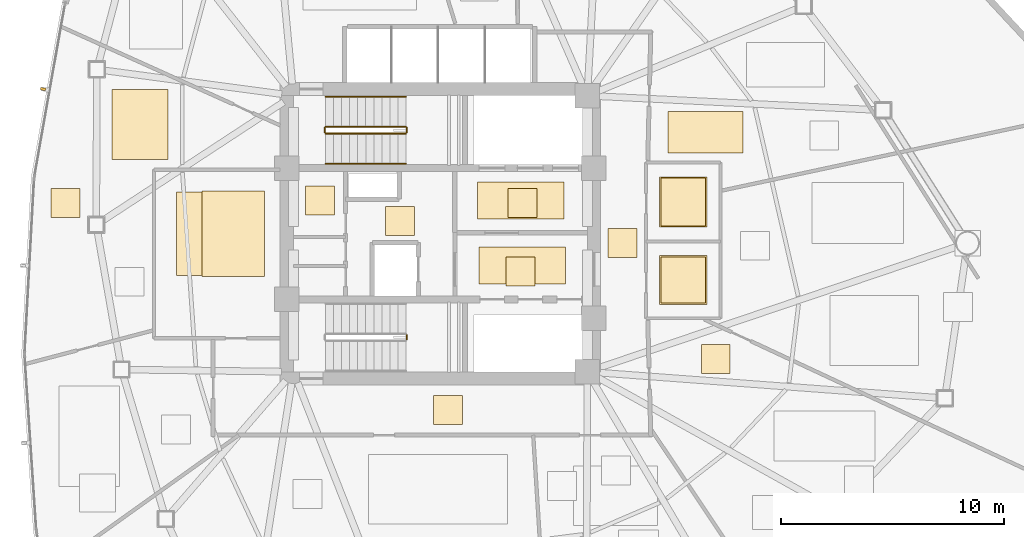
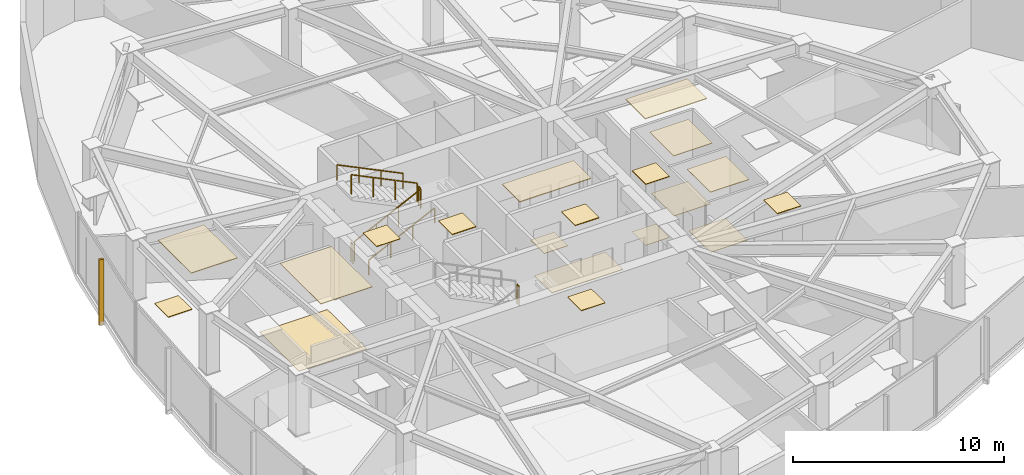
# One storey, part 15 of 17: 19 coverings, 7 railings, 1 shading device.
"""IFC4 building model written with IfcOpenShell, lengths in metres."""

import ifcopenshell
import ifcopenshell.guid

model = None  # the IFC model being written
_history = None  # IfcOwnerHistory: only IFC2X3 demands one
_inside = {}  # id of a spatial element -> (the spatial element, [elements in it])
_under = {}  # id of a project, library or spatial element -> (it, [spatial elements below it])
_declared = {}  # id of a project -> (the project, [libraries it declares])
_typed = {}  # id of a type object -> (the type object, [elements of that type])
_made_of = {}  # id of a material, layer set ... -> (it, [elements and type objects made of it])


def new_model(schema):
    """Start an empty IFC model of exactly this schema.

    Asked for "IFC4X3", IfcOpenShell would pick the latest addendum, in which some entities
    have other attributes; the version numbers below select the first issue.
    IFC2X3 requires an IfcOwnerHistory on every rooted entity: one is made here for all.
    """
    global model, _history
    if schema == "IFC4X3":
        model = ifcopenshell.file(schema_version=(4, 3, 0, 0))
    else:
        model = ifcopenshell.file(schema=schema)
    _inside.clear()
    _under.clear()
    _declared.clear()
    _typed.clear()
    _made_of.clear()
    _history = None
    if model.schema == "IFC2X3":
        org = make("IfcOrganization", Name="unknown")
        user = make(
            "IfcPersonAndOrganization",
            ThePerson=make("IfcPerson", FamilyName="unknown"),
            TheOrganization=org,
        )
        app = make(
            "IfcApplication",
            ApplicationDeveloper=org,
            Version="unknown",
            ApplicationFullName="unknown",
            ApplicationIdentifier="unknown",
        )
        _history = make(
            "IfcOwnerHistory",
            OwningUser=user,
            OwningApplication=app,
            ChangeAction="ADDED",
            CreationDate=0,
        )
    return model


def make(cls, **values):
    """One entity of the class cls with the attributes given. An attribute that is None is left unset."""
    return model.create_entity(
        cls, **{name: value for name, value in values.items() if value is not None}
    )


def rooted(cls, **values):
    """An entity with a GlobalId (a new one), such as an element, a storey or a relation."""
    return make(cls, GlobalId=ifcopenshell.guid.new(), OwnerHistory=_history, **values)


def si_unit(unit_type, name, prefix=None):
    """IfcSIUnit, for example si_unit("LENGTHUNIT", "METRE", prefix="MILLI")."""
    return make("IfcSIUnit", UnitType=unit_type, Prefix=prefix, Name=name)


def assignment(units):
    """IfcUnitAssignment: the units of a project."""
    return None if units is None else make("IfcUnitAssignment", Units=units)


def point(xyz):
    """IfcCartesianPoint."""
    return None if xyz is None else make("IfcCartesianPoint", Coordinates=xyz)


def direction(xyz):
    """IfcDirection."""
    return None if xyz is None else make("IfcDirection", DirectionRatios=xyz)


def frame(location, z_axis=None, x_axis=None):
    """IfcAxis2Placement3D, a coordinate frame: its origin and axes. An axis left out is left unset."""
    return make(
        "IfcAxis2Placement3D",
        Location=point(location),
        Axis=direction(z_axis),
        RefDirection=direction(x_axis),
    )


def frame_2d(location, x_axis=None):
    """IfcAxis2Placement2D, a coordinate frame in the plane: its origin and x axis."""
    return make(
        "IfcAxis2Placement2D", Location=point(location), RefDirection=direction(x_axis)
    )


def origin():
    """The frame at (0, 0, 0) with its axes left unset."""
    return frame((0.0, 0.0, 0.0))


def origin_2d():
    """The frame at (0, 0) in the plane with its x axis left unset."""
    return frame_2d((0.0, 0.0))


def place(relative_to, where):
    """IfcLocalPlacement: puts the frame where relative to a parent placement (None: the world)."""
    return make(
        "IfcLocalPlacement", PlacementRelTo=relative_to, RelativePlacement=where
    )


def context(
    kind, dimensions, precision=None, world=None, true_north=None, identifier=None
):
    """IfcGeometricRepresentationContext, for example the 3D "Model" context."""
    return make(
        "IfcGeometricRepresentationContext",
        ContextIdentifier=identifier,
        ContextType=kind,
        CoordinateSpaceDimension=dimensions,
        Precision=precision,
        WorldCoordinateSystem=world,
        TrueNorth=true_north,
    )


def subcontext(parent, identifier, kind, view, scale=None):
    """IfcGeometricRepresentationSubContext, for example "Body" below "Model"."""
    return make(
        "IfcGeometricRepresentationSubContext",
        ContextIdentifier=identifier,
        ContextType=kind,
        ParentContext=parent,
        TargetScale=scale,
        TargetView=view,
    )


def project(units=None, contexts=None):
    """IfcProject with its units and contexts."""
    return rooted(
        "IfcProject",
        Name="project",
        RepresentationContexts=contexts,
        UnitsInContext=assignment(units),
    )


def spatial(cls, under=None, at=None, **own):
    """A site, building, storey or space (cls), placed at a placement, below another one or the project."""
    s = rooted(cls, ObjectPlacement=at, **own)
    if under is not None:
        _under.setdefault(under.id(), (under, []))[1].append(s)
    return s


def polyline(points):
    """IfcPolyline through the points."""
    return make("IfcPolyline", Points=[point(p) for p in points])


def profile(cls, at=None, kind="AREA", **sizes):
    """A parametric profile (cls). Its sizes go by their IFC names, for example OverallWidth=200.0."""
    return make(cls, ProfileType=kind, Position=at, **sizes)


def rectangle(**sizes):
    """IfcRectangleProfileDef."""
    return profile("IfcRectangleProfileDef", **sizes)


def outline(outer, holes=None, kind="AREA"):
    """IfcArbitraryClosedProfileDef: a profile drawn as a closed curve; with holes, ...WithVoids."""
    if holes is None:
        return make("IfcArbitraryClosedProfileDef", ProfileType=kind, OuterCurve=outer)
    return make(
        "IfcArbitraryProfileDefWithVoids",
        ProfileType=kind,
        OuterCurve=outer,
        InnerCurves=holes,
    )


def extrude(swept, where, along, depth):
    """IfcExtrudedAreaSolid: the profile swept, set in the frame where, extruded along a direction by depth."""
    return make(
        "IfcExtrudedAreaSolid",
        SweptArea=swept,
        Position=where,
        ExtrudedDirection=direction(along),
        Depth=depth,
    )


def shape(context_of_items, identifier, shape_type, items):
    """IfcShapeRepresentation: the items that make up one representation, for example the "Body"."""
    return make(
        "IfcShapeRepresentation",
        ContextOfItems=context_of_items,
        RepresentationIdentifier=identifier,
        RepresentationType=shape_type,
        Items=items,
    )


def source(mapping_origin, context_of_items, identifier, shape_type, items):
    """IfcRepresentationMap: a shape defined once, which mapped items show again and again."""
    return make(
        "IfcRepresentationMap",
        MappingOrigin=mapping_origin,
        MappedRepresentation=shape(context_of_items, identifier, shape_type, items),
    )


def transform(
    local_origin,
    x_axis=None,
    y_axis=None,
    z_axis=None,
    scale=None,
    scale2=None,
    scale3=None,
    uniform=True,
):
    """IfcCartesianTransformationOperator3D, or its non-uniform kind. x_axis, y_axis, z_axis: its Axis1, 2, 3."""
    if uniform:
        return make(
            "IfcCartesianTransformationOperator3D",
            Axis1=direction(x_axis),
            Axis2=direction(y_axis),
            LocalOrigin=point(local_origin),
            Scale=scale,
            Axis3=direction(z_axis),
        )
    return make(
        "IfcCartesianTransformationOperator3DnonUniform",
        Axis1=direction(x_axis),
        Axis2=direction(y_axis),
        LocalOrigin=point(local_origin),
        Scale=scale,
        Axis3=direction(z_axis),
        Scale2=scale2,
        Scale3=scale3,
    )


def mapped(mapping_source, mapping_target):
    """IfcMappedItem: shows the shape of a source again, moved by a transform."""
    return make(
        "IfcMappedItem", MappingSource=mapping_source, MappingTarget=mapping_target
    )


def material(Name=None, Category=None):
    """IfcMaterial."""
    return make("IfcMaterial", Name=Name, Category=Category)


def layer(
    of_material, thickness, ventilated=None, Name=None, Category=None, Priority=None
):
    """IfcMaterialLayer: one layer of a wall or slab, of a material (None: an air gap)."""
    return make(
        "IfcMaterialLayer",
        Material=of_material,
        LayerThickness=thickness,
        IsVentilated=ventilated,
        Name=Name,
        Category=Category,
        Priority=Priority,
    )


def layer_set(layers, Name=None):
    """IfcMaterialLayerSet."""
    return make("IfcMaterialLayerSet", MaterialLayers=layers, LayerSetName=Name)


def made_of(thing, what):
    """Note that an element or type object is made of a material, layer set ...; save() writes the relation."""
    if what is not None:
        _made_of.setdefault(what.id(), (what, []))[1].append(thing)
    return thing


def type_object(cls, material=None, **own):
    """A type object (cls), such as IfcWallType, which elements share."""
    return made_of(rooted(cls, **own), material)


def type_shapes(of_type, sources):
    """Give a type object the sources (RepresentationMaps) that its elements show as mapped items."""
    of_type.RepresentationMaps = sources


def element(
    cls,
    number,
    at=None,
    inside=None,
    cuts=None,
    type_object=None,
    material=None,
    context=None,
    identifier="Body",
    shape_type=None,
    held_by="IfcProductDefinitionShape",
    body=None,
    shapes=None,
    **own,
):
    """One element of the class cls, such as IfcWall. Its Tag is "e" and its number.

    at: its placement. inside: the storey or other place that contains it. cuts: it is an
    opening in that element (IfcRelVoidsElement). A single representation is given by context,
    identifier, shape_type and body (its items); several are given by shapes. held_by: the class
    of the entity that holds the representations. save() writes the other relations.
    """
    e = rooted(cls, Tag="e%d" % number, ObjectPlacement=at, **own)
    if body is not None:
        shapes = [shape(context, identifier, shape_type, body)]
    if shapes is not None:
        e.Representation = make(held_by, Representations=shapes)
    if inside is not None:
        _inside.setdefault(inside.id(), (inside, []))[1].append(e)
    if cuts is not None:
        rooted(
            "IfcRelVoidsElement", RelatingBuildingElement=cuts, RelatedOpeningElement=e
        )
    if type_object is not None:
        _typed.setdefault(type_object.id(), (type_object, []))[1].append(e)
    return made_of(e, material)


def aggregate(whole, parts):
    """IfcRelAggregates: a whole, such as a stair, and the parts it consists of."""
    return rooted("IfcRelAggregates", RelatingObject=whole, RelatedObjects=parts)


def save(model, path):
    """Write the relations noted so far, then the file.

    IfcRelAggregates (storeys below a building ...), IfcRelContainedInSpatialStructure (elements
    in a storey), IfcRelDefinesByType, IfcRelAssociatesMaterial and IfcRelDeclares: one each for
    every whole, place, type object, material and project.
    """
    for whole, parts in _under.values():
        aggregate(whole, parts)
    for where, things in _inside.values():
        rooted(
            "IfcRelContainedInSpatialStructure",
            RelatedElements=things,
            RelatingStructure=where,
        )
    for kind, things in _typed.values():
        rooted("IfcRelDefinesByType", RelatedObjects=things, RelatingType=kind)
    for what, things in _made_of.values():
        rooted("IfcRelAssociatesMaterial", RelatedObjects=things, RelatingMaterial=what)
    for by, libraries in _declared.values():
        rooted("IfcRelDeclares", RelatingContext=by, RelatedDefinitions=libraries)
    model.write(path)


model = new_model("IFC4")

# Units and contexts
model_context = context("Model", 3, precision=1e-05, world=origin(), true_north=direction((0.0, 1.0)))
body_context = subcontext(model_context, "Body", "Model", "MODEL_VIEW")
ifc_project = project(units=[si_unit("LENGTHUNIT", "METRE"), si_unit("AREAUNIT", "SQUARE_METRE"), si_unit("VOLUMEUNIT", "CUBIC_METRE"), si_unit("PLANEANGLEUNIT", "RADIAN"), si_unit("MASSUNIT", "GRAM", prefix="KILO")], contexts=[model_context])

# Site, building, storey
site_placement = place(None, origin())
site = spatial("IfcSite", under=ifc_project, at=site_placement, CompositionType="ELEMENT")
building_placement = place(site_placement, origin())
building = spatial("IfcBuilding", under=site, at=building_placement, Name="Tavelor Broadcast Tower", CompositionType="ELEMENT")
storey_placement = place(building_placement, frame((0.0, 0.0, 131.0)))
storey = spatial("IfcBuildingStorey", under=building, at=storey_placement, Name="L30", CompositionType="ELEMENT", Elevation=131.0)

# Coverings
ifc_material_1 = material(Name="Copper-Bronze Anodized Aluminium", Category="aluminium")
ifc_layer_1 = layer(ifc_material_1, 0.044921875)
ifc_layer_set_1 = layer_set([ifc_layer_1], Name="Copper-Bronze Anodized Aluminium")
covering_type_1 = type_object("IfcCoveringType", Name="Anodised Bronze Linear Slatted Concourse Ceiling 45 mm", PredefinedType="CEILING", material=ifc_layer_set_1)
covering_1_placement = place(storey_placement, frame((0.0, 0.0, 3.5048828125)))
element("IfcCovering", 1, at=covering_1_placement, inside=storey, type_object=covering_type_1, Name="L30 Suspended Acoustic Ceiling 1187", PredefinedType="CEILING", context=body_context, shape_type="SweptSolid", body=[
    extrude(outline(polyline([(51.659912109375, 45.654296875), (55.55712890625, 45.654296875), (55.55712890625, 47.331787109375), (51.659912109375, 47.331787109375), (51.659912109375, 45.654296875)])), origin(), (0.0, 0.0, 1.0), 0.045166015625),
])
covering_2_placement = place(storey_placement, frame((0.0, 0.0, 3.5048828125)))
element("IfcCovering", 2, at=covering_2_placement, inside=storey, type_object=covering_type_1, Name="L30 Suspended Acoustic Ceiling 1188", PredefinedType="CEILING", context=body_context, shape_type="SweptSolid", body=[
    extrude(outline(polyline([(52.95361328125, 42.656982421875), (54.25341796875, 42.656982421875), (54.25341796875, 43.95703125), (52.95361328125, 43.95703125), (52.95361328125, 42.656982421875)])), origin(), (0.0, 0.0, 1.0), 0.045166015625),
])
covering_3_placement = place(storey_placement, frame((0.0, 0.0, 3.5048828125)))
element("IfcCovering", 3, at=covering_3_placement, inside=storey, type_object=covering_type_1, Name="L30 Suspended Acoustic Ceiling 1189", PredefinedType="CEILING", context=body_context, shape_type="SweptSolid", body=[
    extrude(outline(polyline([(47.544921875, 44.919921875), (48.844970703125, 44.919921875), (48.844970703125, 46.219970703125), (47.544921875, 46.219970703125), (47.544921875, 44.919921875)])), origin(), (0.0, 0.0, 1.0), 0.045166015625),
])

# Railings
ifc_material_2 = material(Name="Steel S355", Category="steel")
railing_type_1 = type_object("IfcRailingType", Name="Continuous Brushed Stainless Handrail 900 mm", PredefinedType="HANDRAIL", material=ifc_material_2)
railing_1_placement = place(storey_placement, frame((44.85009765625, 48.14990234375, 0.175048828125)))
element("IfcRailing", 4, at=railing_1_placement, inside=storey, type_object=railing_type_1, Name="L30 ST1 stair handrail 1", PredefinedType="HANDRAIL", context=body_context, shape_type="SweptSolid", body=[
    extrude(rectangle(XDim=0.048095703125, YDim=0.048095703125, at=origin_2d()), frame((0.0, 0.0, 0.8759765625), z_axis=(0.899360859046, 0.0, 0.437207096483), x_axis=(0.0, 1.0, 0.0)), (0.0, 0.0, 1.0), 4.002685546875),
    extrude(rectangle(XDim=0.0419921875, YDim=0.0419921875, at=origin_2d()), origin(), (0.0, 0.0, 1.0), 0.851806640625),
    extrude(rectangle(XDim=0.0419921875, YDim=0.0419921875, at=origin_2d()), frame((1.199951171875, 0.0, 0.583251953125)), (0.0, 0.0, 1.0), 0.851806640625),
    extrude(rectangle(XDim=0.0419921875, YDim=0.0419921875, at=origin_2d()), frame((2.39990234375, 0.0, 1.166748046875)), (0.0, 0.0, 1.0), 0.851806640625),
    extrude(rectangle(XDim=0.0419921875, YDim=0.0419921875, at=origin_2d()), frame((3.599853515625, 0.0, 1.75)), (0.0, 0.0, 1.0), 0.851806640625),
])
railing_2_placement = place(storey_placement, frame((48.449951171875, 51.14990234375, 2.10009765625)))
element("IfcRailing", 5, at=railing_2_placement, inside=storey, type_object=railing_type_1, Name="L30 ST1 stair handrail 2", PredefinedType="HANDRAIL", context=body_context, shape_type="SweptSolid", body=[
    extrude(rectangle(XDim=0.048095703125, YDim=0.048095703125, at=origin_2d()), frame((0.0, 0.0, 0.8759765625), z_axis=(-0.899360859046, 0.0, 0.437207096483), x_axis=(0.0, -1.0, 0.0)), (0.0, 0.0, 1.0), 4.002685546875),
    extrude(rectangle(XDim=0.0419921875, YDim=0.0419921875, at=origin_2d()), origin(), (0.0, 0.0, 1.0), 0.851806640625),
    extrude(rectangle(XDim=0.0419921875, YDim=0.0419921875, at=origin_2d()), frame((-1.199951171875, 0.0, 0.583251953125)), (0.0, 0.0, 1.0), 0.851806640625),
    extrude(rectangle(XDim=0.0419921875, YDim=0.0419921875, at=origin_2d()), frame((-2.39990234375, 0.0, 1.166748046875)), (0.0, 0.0, 1.0), 0.851806640625),
    extrude(rectangle(XDim=0.0419921875, YDim=0.0419921875, at=origin_2d()), frame((-3.599853515625, 0.0, 1.75)), (0.0, 0.0, 1.0), 0.851806640625),
])

# Coverings
ifc_material_3 = material(Name="Architectural Anodized Aluminium", Category="aluminium")
ifc_layer_2 = layer(ifc_material_3, 0.034912109375)
ifc_layer_set_2 = layer_set([ifc_layer_2], Name="Architectural Anodized Aluminium")
covering_type_2 = type_object("IfcCoveringType", Name="Demountable Metal Tile Corridor Ceiling 35 mm", PredefinedType="CEILING", material=ifc_layer_set_2)
covering_4_placement = place(storey_placement, frame((0.0, 0.0, 3.514892578125)))
element("IfcCovering", 6, at=covering_4_placement, inside=storey, type_object=covering_type_2, Name="L30 Suspended Acoustic Ceiling 1191", PredefinedType="CEILING", context=body_context, shape_type="SweptSolid", body=[
    extrude(outline(polyline([(57.5400390625, 43.925048828125), (58.840087890625, 43.925048828125), (58.840087890625, 45.22509765625), (57.5400390625, 45.22509765625), (57.5400390625, 43.925048828125)])), origin(), (0.0, 0.0, 1.0), 0.03515625),
])
covering_5_placement = place(storey_placement, frame((0.0, 0.0, 3.514892578125)))
element("IfcCovering", 7, at=covering_5_placement, inside=storey, type_object=covering_type_2, Name="L30 Suspended Acoustic Ceiling 1192", PredefinedType="CEILING", context=body_context, shape_type="SweptSolid", body=[
    extrude(outline(polyline([(49.694091796875, 36.425048828125), (50.994140625, 36.425048828125), (50.994140625, 37.72509765625), (49.694091796875, 37.72509765625), (49.694091796875, 36.425048828125)])), origin(), (0.0, 0.0, 1.0), 0.03515625),
])
ifc_material_4 = material(Name="Acoustic Nylon Carpet Tile")
ifc_layer_3 = layer(ifc_material_4, 0.02001953125)
ifc_layer_set_3 = layer_set([ifc_layer_3], Name="Acoustic Nylon Carpet Tile")
covering_type_3 = type_object("IfcCoveringType", Name="Heavy-Duty Acoustic Broadcast Carpet Tile 20 mm", PredefinedType="FLOORING", material=ifc_layer_set_3)
covering_6_placement = place(storey_placement, origin())
element("IfcCovering", 8, at=covering_6_placement, inside=storey, type_object=covering_type_3, Name="L30 Broadcast Floor Finish 0420", PredefinedType="FLOORING", context=body_context, shape_type="SweptSolid", body=[
    extrude(outline(polyline([(57.5400390625, 43.925048828125), (58.840087890625, 43.925048828125), (58.840087890625, 45.22509765625), (57.5400390625, 45.22509765625), (57.5400390625, 43.925048828125)])), origin(), (0.0, 0.0, 1.0), 0.02001953125),
])
covering_7_placement = place(storey_placement, origin())
element("IfcCovering", 9, at=covering_7_placement, inside=storey, type_object=covering_type_3, Name="L30 Broadcast Floor Finish 0421", PredefinedType="FLOORING", context=body_context, shape_type="SweptSolid", body=[
    extrude(outline(polyline([(38.143798828125, 43.12890625), (41.856201171875, 43.12890625), (41.856201171875, 46.87060546875), (38.143798828125, 46.87060546875), (38.143798828125, 43.12890625)])), origin(), (0.0, 0.0, 1.0), 0.02001953125),
])
ifc_material_5 = material(Name="Honed Natural Limestone Tile", Category="masonry")
ifc_layer_4 = layer(ifc_material_5, 0.030029296875)
ifc_layer_set_4 = layer_set([ifc_layer_4], Name="Honed Natural Limestone Tile")
covering_type_4 = type_object("IfcCoveringType", Name="Honed Jerusalem Limestone Concourse Flooring 30 mm", PredefinedType="FLOORING", material=ifc_layer_set_4)
covering_8_placement = place(storey_placement, origin())
element("IfcCovering", 10, at=covering_8_placement, inside=storey, type_object=covering_type_4, Name="L30 Broadcast Floor Finish 0418", PredefinedType="FLOORING", context=body_context, shape_type="SweptSolid", body=[
    extrude(outline(polyline([(53.030029296875, 45.728515625), (54.330078125, 45.728515625), (54.330078125, 47.028564453125), (53.030029296875, 47.028564453125), (53.030029296875, 45.728515625)])), origin(), (0.0, 0.0, 1.0), 0.030029296875),
])
covering_9_placement = place(storey_placement, origin())
element("IfcCovering", 11, at=covering_9_placement, inside=storey, type_object=covering_type_4, Name="L30 Broadcast Floor Finish 0419", PredefinedType="FLOORING", context=body_context, shape_type="SweptSolid", body=[
    extrude(outline(polyline([(51.728759765625, 42.743408203125), (55.62109375, 42.743408203125), (55.62109375, 44.396484375), (51.728759765625, 44.396484375), (51.728759765625, 42.743408203125)])), origin(), (0.0, 0.0, 1.0), 0.030029296875),
])
ifc_layer_5 = layer(ifc_material_3, 0.030029296875)
ifc_layer_set_5 = layer_set([ifc_layer_5], Name="Architectural Anodized Aluminium")
covering_type_5 = type_object("IfcCoveringType", Name="Moisture-Resistant Washroom Ceiling 30 mm", PredefinedType="CEILING", material=ifc_layer_set_5)
covering_10_placement = place(storey_placement, frame((0.0, 0.0, 3.52001953125)))
element("IfcCovering", 12, at=covering_10_placement, inside=storey, type_object=covering_type_5, Name="L30 Suspended Acoustic Ceiling 1190", PredefinedType="CEILING", context=body_context, shape_type="SweptSolid", body=[
    extrude(outline(polyline([(43.951416015625, 45.843017578125), (45.25146484375, 45.843017578125), (45.25146484375, 47.14306640625), (43.951416015625, 47.14306640625), (43.951416015625, 45.843017578125)])), origin(), (0.0, 0.0, 1.0), 0.030029296875),
])
covering_11_placement = place(storey_placement, frame((0.0, 0.0, 3.52001953125)))
element("IfcCovering", 13, at=covering_11_placement, inside=storey, type_object=covering_type_5, Name="L30 Suspended Acoustic Ceiling 1194", PredefinedType="CEILING", context=body_context, shape_type="SweptSolid", body=[
    extrude(outline(polyline([(59.85302734375, 41.828369140625), (61.967041015625, 41.828369140625), (61.967041015625, 44.021484375), (59.85302734375, 44.021484375), (59.85302734375, 41.828369140625)])), origin(), (0.0, 0.0, 1.0), 0.030029296875),
])
covering_12_placement = place(storey_placement, frame((0.0, 0.0, 3.52001953125)))
element("IfcCovering", 14, at=covering_12_placement, inside=storey, type_object=covering_type_5, Name="L30 Suspended Acoustic Ceiling 1195", PredefinedType="CEILING", context=body_context, shape_type="SweptSolid", body=[
    extrude(outline(polyline([(59.85302734375, 45.29248046875), (61.967041015625, 45.29248046875), (61.967041015625, 47.5576171875), (59.85302734375, 47.5576171875), (59.85302734375, 45.29248046875)])), origin(), (0.0, 0.0, 1.0), 0.030029296875),
])
ifc_material_6 = material(Name="Slip-Resistant Porcelain Tile")
ifc_layer_6 = layer(ifc_material_6, 0.02490234375)
ifc_layer_set_6 = layer_set([ifc_layer_6], Name="Slip-Resistant Porcelain Tile")
covering_type_6 = type_object("IfcCoveringType", Name="Slip-Resistant Porcelain Wet-Area Floor Tile 25 mm", PredefinedType="FLOORING", material=ifc_layer_set_6)
covering_13_placement = place(storey_placement, origin())
element("IfcCovering", 15, at=covering_13_placement, inside=storey, type_object=covering_type_6, Name="L30 Broadcast Floor Finish 0422", PredefinedType="FLOORING", context=body_context, shape_type="SweptSolid", body=[
    extrude(outline(polyline([(59.91064453125, 41.885986328125), (61.909423828125, 41.885986328125), (61.909423828125, 43.964111328125), (59.91064453125, 43.964111328125), (59.91064453125, 41.885986328125)])), origin(), (0.0, 0.0, 1.0), 0.02490234375),
])
covering_14_placement = place(storey_placement, origin())
element("IfcCovering", 16, at=covering_14_placement, inside=storey, type_object=covering_type_6, Name="L30 Broadcast Floor Finish 0423", PredefinedType="FLOORING", context=body_context, shape_type="SweptSolid", body=[
    extrude(outline(polyline([(59.91064453125, 45.35009765625), (61.909423828125, 45.35009765625), (61.909423828125, 47.5), (59.91064453125, 47.5), (59.91064453125, 45.35009765625)])), origin(), (0.0, 0.0, 1.0), 0.02490234375),
])

# Railings
railing_type_2 = type_object("IfcRailingType", Name="Stairwell Steel Safety Guardrail 1150 mm", PredefinedType="GUARDRAIL", material=ifc_material_2)
railing_3_placement = place(storey_placement, frame((44.85009765625, 49.5, 0.175048828125)))
element("IfcRailing", 17, at=railing_3_placement, inside=storey, type_object=railing_type_2, Name="L30 ST1 stair guard 1", PredefinedType="GUARDRAIL", context=body_context, shape_type="SweptSolid", body=[
    extrude(rectangle(XDim=0.048095703125, YDim=0.048095703125, at=origin_2d()), frame((0.0, 0.0, 1.1259765625), z_axis=(0.899360859046, 0.0, 0.437207096483), x_axis=(0.0, 1.0, 0.0)), (0.0, 0.0, 1.0), 4.002685546875),
    extrude(rectangle(XDim=0.0419921875, YDim=0.0419921875, at=origin_2d()), origin(), (0.0, 0.0, 1.0), 1.101806640625),
    extrude(rectangle(XDim=0.0419921875, YDim=0.0419921875, at=origin_2d()), frame((1.199951171875, 0.0, 0.583251953125)), (0.0, 0.0, 1.0), 1.101806640625),
    extrude(rectangle(XDim=0.0419921875, YDim=0.0419921875, at=origin_2d()), frame((2.39990234375, 0.0, 1.166748046875)), (0.0, 0.0, 1.0), 1.101806640625),
    extrude(rectangle(XDim=0.0419921875, YDim=0.0419921875, at=origin_2d()), frame((3.599853515625, 0.0, 1.75)), (0.0, 0.0, 1.0), 1.101806640625),
])
railing_4_placement = place(storey_placement, frame((48.5, 49.550048828125, 1.925048828125)))
element("IfcRailing", 18, at=railing_4_placement, inside=storey, type_object=railing_type_2, Name="L30 ST1 stair guard 2", PredefinedType="GUARDRAIL", context=body_context, shape_type="SweptSolid", body=[
    extrude(rectangle(XDim=0.048095703125, YDim=0.048095703125, at=origin_2d()), frame((0.0, 0.0, 1.1259765625), z_axis=(0.0, 1.0, 0.0), x_axis=(-1.0, 0.0, 0.0)), (0.0, 0.0, 1.0), 0.199951171875),
    extrude(rectangle(XDim=0.0419921875, YDim=0.0419921875, at=origin_2d()), origin(), (0.0, 0.0, 1.0), 1.101806640625),
    extrude(rectangle(XDim=0.0419921875, YDim=0.0419921875, at=origin_2d()), frame((0.0, 0.199951171875, 0.0)), (0.0, 0.0, 1.0), 1.101806640625),
])
railing_5_placement = place(storey_placement, frame((48.449951171875, 49.800048828125, 2.10009765625)))
element("IfcRailing", 19, at=railing_5_placement, inside=storey, type_object=railing_type_2, Name="L30 ST1 stair guard 3", PredefinedType="GUARDRAIL", context=body_context, shape_type="SweptSolid", body=[
    extrude(rectangle(XDim=0.048095703125, YDim=0.048095703125, at=origin_2d()), frame((0.0, 0.0, 1.1259765625), z_axis=(-0.899360859046, 0.0, 0.437207096483), x_axis=(0.0, -1.0, 0.0)), (0.0, 0.0, 1.0), 4.002685546875),
    extrude(rectangle(XDim=0.0419921875, YDim=0.0419921875, at=origin_2d()), origin(), (0.0, 0.0, 1.0), 1.101806640625),
    extrude(rectangle(XDim=0.0419921875, YDim=0.0419921875, at=origin_2d()), frame((-1.199951171875, 0.0, 0.583251953125)), (0.0, 0.0, 1.0), 1.101806640625),
    extrude(rectangle(XDim=0.0419921875, YDim=0.0419921875, at=origin_2d()), frame((-2.39990234375, 0.0, 1.166748046875)), (0.0, 0.0, 1.0), 1.101806640625),
    extrude(rectangle(XDim=0.0419921875, YDim=0.0419921875, at=origin_2d()), frame((-3.599853515625, 0.0, 1.75)), (0.0, 0.0, 1.0), 1.101806640625),
])
for number, where, name in (
    (20, (44.800048828125, 49.550048828125, 0.0), "L30 ST1 stair guard 4"),
    (21, (48.5, 40.25, 1.925048828125), "L30 ST2 stair guard 2"),
):
    element("IfcRailing", number, at=place(storey_placement, frame(where)), inside=storey, type_object=railing_type_2, Name=name, PredefinedType="GUARDRAIL", context=body_context, shape_type="SweptSolid", body=[
        extrude(rectangle(XDim=0.048095703125, YDim=0.048095703125, at=origin_2d()), frame((0.0, 0.0, 1.1259765625), z_axis=(0.0, 1.0, 0.0), x_axis=(-1.0, 0.0, 0.0)), (0.0, 0.0, 1.0), 0.199951171875),
        extrude(rectangle(XDim=0.0419921875, YDim=0.0419921875, at=origin_2d()), origin(), (0.0, 0.0, 1.0), 1.101806640625),
        extrude(rectangle(XDim=0.0419921875, YDim=0.0419921875, at=origin_2d()), frame((0.0, 0.199951171875, 0.0)), (0.0, 0.0, 1.0), 1.101806640625),
    ])

# Coverings
ifc_material_7 = material(Name="Acoustic Mineral Fibre Tile")
ifc_layer_7 = layer(ifc_material_7, 0.0400390625)
ifc_layer_set_7 = layer_set([ifc_layer_7], Name="Acoustic Mineral Fibre Tile")
covering_type_7 = type_object("IfcCoveringType", Name="Suspended Acoustic Mineral-Fibre Office Ceiling 40 mm", PredefinedType="CEILING", material=ifc_layer_set_7)
covering_15_placement = place(storey_placement, frame((0.0, 0.0, 3.510009765625)))
element("IfcCovering", 22, at=covering_15_placement, inside=storey, type_object=covering_type_7, Name="L30 Suspended Acoustic Ceiling 1193", PredefinedType="CEILING", context=body_context, shape_type="SweptSolid", body=[
    extrude(outline(polyline([(39.2998046875, 43.0712890625), (42.111328125, 43.0712890625), (42.111328125, 46.927978515625), (39.2998046875, 46.927978515625), (39.2998046875, 43.0712890625)])), origin(), (0.0, 0.0, 1.0), 0.0400390625),
])
covering_16_placement = place(storey_placement, frame((0.0, 0.0, 3.510009765625)))
element("IfcCovering", 23, at=covering_16_placement, inside=storey, type_object=covering_type_7, Name="L30 Suspended Acoustic Ceiling 1196", PredefinedType="CEILING", context=body_context, shape_type="SweptSolid", body=[
    extrude(outline(polyline([(61.71826171875, 38.717529296875), (63.018310546875, 38.717529296875), (63.018310546875, 40.017578125), (61.71826171875, 40.017578125), (61.71826171875, 38.717529296875)])), origin(), (0.0, 0.0, 1.0), 0.0400390625),
])
covering_17_placement = place(storey_placement, frame((0.0, 0.0, 3.510009765625)))
element("IfcCovering", 24, at=covering_17_placement, inside=storey, type_object=covering_type_7, Name="L30 Suspended Acoustic Ceiling 1209", PredefinedType="CEILING", context=body_context, shape_type="SweptSolid", body=[
    extrude(outline(polyline([(32.509521484375, 45.73291015625), (33.809326171875, 45.73291015625), (33.809326171875, 47.032958984375), (32.509521484375, 47.032958984375), (32.509521484375, 45.73291015625)])), origin(), (0.0, 0.0, 1.0), 0.0400390625),
])
covering_18_placement = place(storey_placement, frame((0.0, 0.0, 3.510009765625)))
element("IfcCovering", 25, at=covering_18_placement, inside=storey, type_object=covering_type_7, Name="L30 Suspended Acoustic Ceiling 1210", PredefinedType="CEILING", context=body_context, shape_type="SweptSolid", body=[
    extrude(outline(polyline([(35.260498046875, 48.33056640625), (37.779052734375, 48.33056640625), (37.779052734375, 51.481201171875), (35.260498046875, 51.481201171875), (35.260498046875, 48.33056640625)])), origin(), (0.0, 0.0, 1.0), 0.0400390625),
])
covering_19_placement = place(storey_placement, frame((0.0, 0.0, 3.510009765625)))
element("IfcCovering", 26, at=covering_19_placement, inside=storey, type_object=covering_type_7, Name="L30 Suspended Acoustic Ceiling 1226", PredefinedType="CEILING", context=body_context, shape_type="SweptSolid", body=[
    extrude(outline(polyline([(60.2236328125, 48.614990234375), (63.599365234375, 48.614990234375), (63.599365234375, 50.478271484375), (60.2236328125, 50.478271484375), (60.2236328125, 48.614990234375)])), origin(), (0.0, 0.0, 1.0), 0.0400390625),
])

# Shading device
ifc_material_8 = material(Name="Kiln-Fired Glazed Terracotta", Category="masonry")
shading_device_type = type_object("IfcShadingDeviceType", Name="Extruded Terracotta Baguette Sun-Screen 110x240", PredefinedType="JALOUSIE", material=ifc_material_8)
shared_shape = source(origin(), body_context, "Body", "SweptSolid", [
    extrude(rectangle(XDim=0.110107421875, YDim=0.239990234375, at=origin_2d()), origin(), (0.0, 0.0, 1.0), 3.7900390625),
])
type_shapes(shading_device_type, [shared_shape])
shading_device_placement = place(storey_placement, frame((32.16162109375, 51.494384765625, -0.260009765625), z_axis=(0.0, 0.0, 1.0), x_axis=(-0.175023058975, -0.984564334529, 0.0)))
element("IfcShadingDevice", 27, at=shading_device_placement, inside=storey, type_object=shading_device_type, Name="L30 Terracotta Baguette Fin 289", PredefinedType="JALOUSIE", context=body_context, shape_type="MappedRepresentation", body=[
    mapped(shared_shape, transform((0.0, 0.0, 0.0), scale=1.0)),
])

save(model, "model.ifc")
